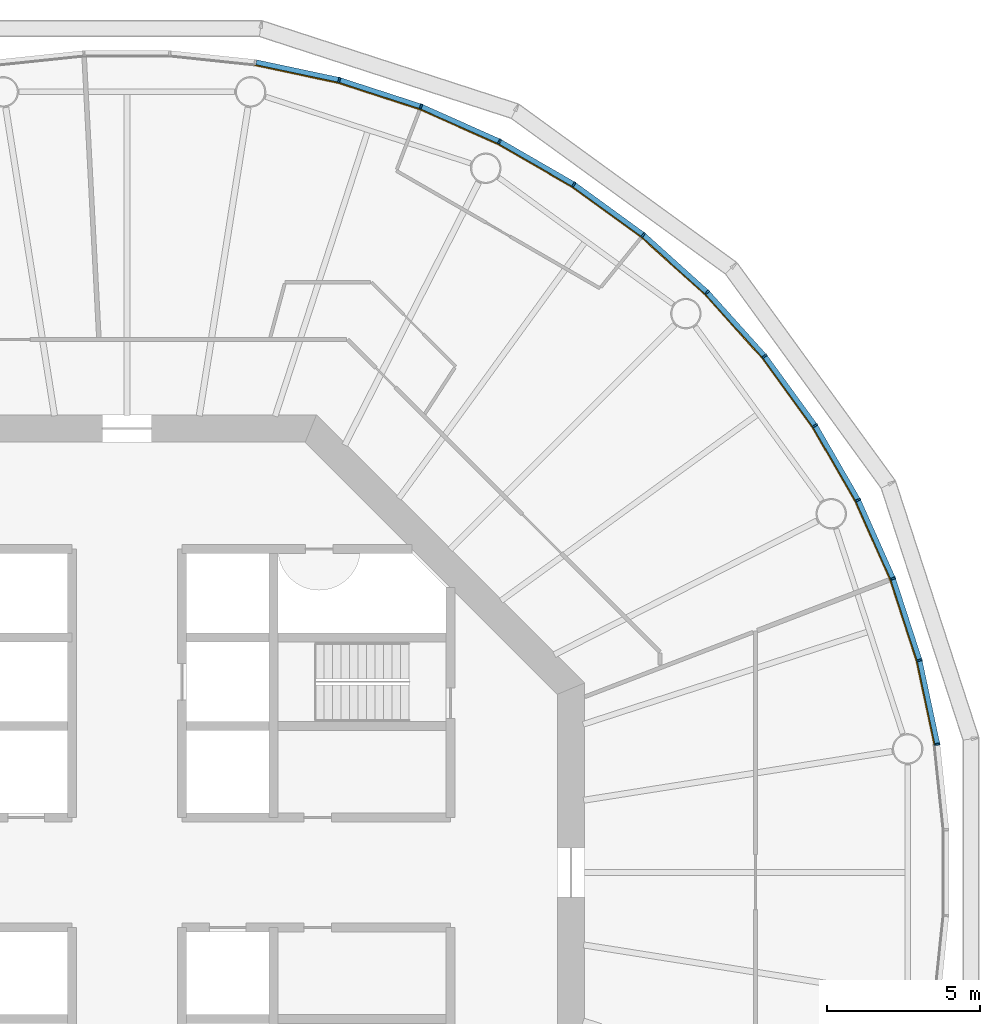
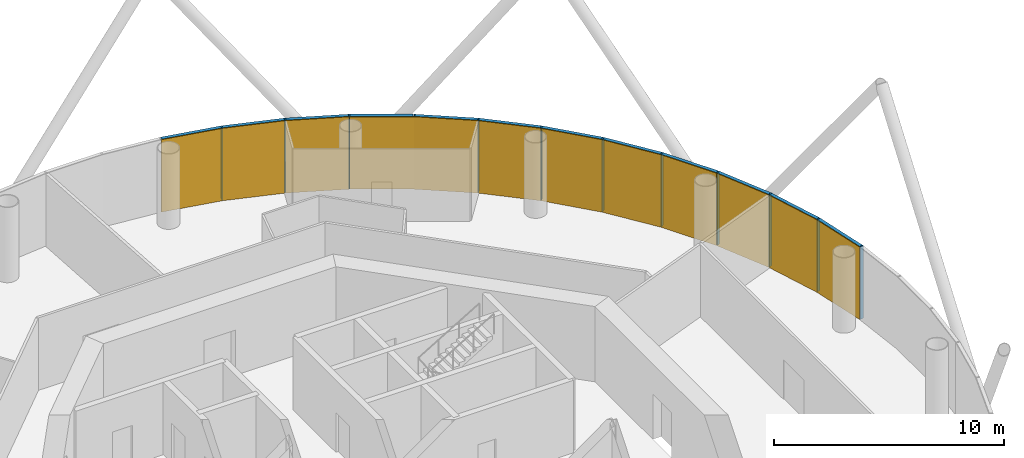
# One storey, part 11 of 12: 24 members, 4 curtain walls.
"""IFC4 building model written with IfcOpenShell, lengths in metres."""

from ifc_helpers import new_model, si_unit, direction, frame, origin, origin_2d, place, context, subcontext, project, spatial, polyline, rectangle, outline, extrude, material, layer, layer_set, material_profile, profile_set, type_object, element, aggregate, save


model = new_model("IFC4")

# Units and contexts
model_context = context("Model", 3, precision=1e-05, world=origin(), true_north=direction((0.0, 1.0)))
body_context = subcontext(model_context, "Body", "Model", "MODEL_VIEW")
ifc_project = project(units=[si_unit("LENGTHUNIT", "METRE"), si_unit("AREAUNIT", "SQUARE_METRE"), si_unit("VOLUMEUNIT", "CUBIC_METRE"), si_unit("PLANEANGLEUNIT", "RADIAN"), si_unit("MASSUNIT", "GRAM", prefix="KILO")], contexts=[model_context])

# Member
ifc_material_1 = material(Name="Anodised aluminium", Category="aluminium")
ifc_material_profile_1 = material_profile(ifc_material_1, rectangle(XDim=0.06005859375, YDim=0.169921875, at=origin_2d()), Name="Mullion 60 x 170 mm anodised aluminium")
ifc_profile_set_1 = profile_set([ifc_material_profile_1], Name="Anodised aluminium")
member_type_1 = type_object("IfcMemberType", Name="Mullion 60 x 170 mm anodised aluminium", PredefinedType="MULLION", material=ifc_profile_set_1)
site_placement = place(None, origin())
building_placement = place(site_placement, origin())
storey_placement = place(building_placement, frame((0.0, 0.0, 238.0)))
member_1_placement = place(storey_placement, frame((116.553955078125, 84.205810546875, 0.0), z_axis=(0.0, 0.0, 1.0), x_axis=(-0.15643446504, 0.987688340595, 0.0)))
member_1 = element("IfcMember", 1, at=member_1_placement, type_object=member_type_1, Name="MULLION L54-00", PredefinedType="MULLION", context=body_context, shape_type="SweptSolid", body=[
    extrude(rectangle(XDim=0.06005859375, YDim=0.169921875, at=origin_2d()), origin(), (0.0, 0.0, 1.0), 3.85009765625),
])

member_2_placement = place(storey_placement, frame((115.968994140625, 86.958251953125, 0.0), z_axis=(0.0, 0.0, 1.0), x_axis=(-0.258819045103, 0.965925826289, 0.0)))
member_2 = element("IfcMember", 2, at=member_2_placement, type_object=member_type_1, Name="MULLION L54-01", PredefinedType="MULLION", context=body_context, shape_type="SweptSolid", body=[
    extrude(rectangle(XDim=0.06005859375, YDim=0.169921875, at=origin_2d()), origin(), (0.0, 0.0, 1.0), 3.85009765625),
])

member_3_placement = place(storey_placement, frame((115.099365234375, 89.634765625, 0.0), z_axis=(0.0, 0.0, 1.0), x_axis=(-0.358367949545, 0.933580426497, 0.0)))
member_3 = element("IfcMember", 3, at=member_3_placement, type_object=member_type_1, Name="MULLION L54-02", PredefinedType="MULLION", context=body_context, shape_type="SweptSolid", body=[
    extrude(rectangle(XDim=0.06005859375, YDim=0.169921875, at=origin_2d()), origin(), (0.0, 0.0, 1.0), 3.85009765625),
])

member_4_placement = place(storey_placement, frame((113.95458984375, 92.20556640625, 0.0), z_axis=(0.0, 0.0, 1.0), x_axis=(-0.45399049974, 0.891006524188, 0.0)))
member_4 = element("IfcMember", 4, at=member_4_placement, type_object=member_type_1, Name="MULLION L54-03", PredefinedType="MULLION", context=body_context, shape_type="SweptSolid", body=[
    extrude(rectangle(XDim=0.06005859375, YDim=0.169921875, at=origin_2d()), origin(), (0.0, 0.0, 1.0), 3.85009765625),
])

member_5_placement = place(storey_placement, frame((112.547607421875, 94.642578125, 0.0), z_axis=(0.0, 0.0, 1.0), x_axis=(-0.544639035015, 0.838670567945, 0.0)))
member_5 = element("IfcMember", 5, at=member_5_placement, type_object=member_type_1, Name="MULLION L54-04", PredefinedType="MULLION", context=body_context, shape_type="SweptSolid", body=[
    extrude(rectangle(XDim=0.06005859375, YDim=0.169921875, at=origin_2d()), origin(), (0.0, 0.0, 1.0), 3.85009765625),
])

member_6_placement = place(storey_placement, frame((110.8935546875, 96.919189453125, 0.0), z_axis=(0.0, 0.0, 1.0), x_axis=(-0.62932039105, 0.777145961457, 0.0)))
member_6 = element("IfcMember", 6, at=member_6_placement, type_object=member_type_1, Name="MULLION L54-05", PredefinedType="MULLION", context=body_context, shape_type="SweptSolid", body=[
    extrude(rectangle(XDim=0.06005859375, YDim=0.169921875, at=origin_2d()), origin(), (0.0, 0.0, 1.0), 3.85009765625),
])

member_7_placement = place(storey_placement, frame((109.010498046875, 99.010498046875, 0.0), z_axis=(0.0, 0.0, 1.0), x_axis=(-0.707106781187, 0.707106781187, 0.0)))
member_7 = element("IfcMember", 7, at=member_7_placement, type_object=member_type_1, Name="MULLION L54-06", PredefinedType="MULLION", context=body_context, shape_type="SweptSolid", body=[
    extrude(rectangle(XDim=0.06005859375, YDim=0.169921875, at=origin_2d()), origin(), (0.0, 0.0, 1.0), 3.85009765625),
])

member_8_placement = place(storey_placement, frame((106.919189453125, 100.8935546875, 0.0), z_axis=(0.0, 0.0, 1.0), x_axis=(-0.777145961457, 0.62932039105, 0.0)))
member_8 = element("IfcMember", 8, at=member_8_placement, type_object=member_type_1, Name="MULLION L54-07", PredefinedType="MULLION", context=body_context, shape_type="SweptSolid", body=[
    extrude(rectangle(XDim=0.06005859375, YDim=0.169921875, at=origin_2d()), origin(), (0.0, 0.0, 1.0), 3.85009765625),
])

member_9_placement = place(storey_placement, frame((104.642578125, 102.547607421875, 0.0), z_axis=(0.0, 0.0, 1.0), x_axis=(-0.838670567945, 0.544639035015, 0.0)))
member_9 = element("IfcMember", 9, at=member_9_placement, type_object=member_type_1, Name="MULLION L54-08", PredefinedType="MULLION", context=body_context, shape_type="SweptSolid", body=[
    extrude(rectangle(XDim=0.06005859375, YDim=0.169921875, at=origin_2d()), origin(), (0.0, 0.0, 1.0), 3.85009765625),
])

member_10_placement = place(storey_placement, frame((102.20556640625, 103.95458984375, 0.0), z_axis=(0.0, 0.0, 1.0), x_axis=(-0.891006524188, 0.45399049974, 0.0)))
member_10 = element("IfcMember", 10, at=member_10_placement, type_object=member_type_1, Name="MULLION L54-09", PredefinedType="MULLION", context=body_context, shape_type="SweptSolid", body=[
    extrude(rectangle(XDim=0.06005859375, YDim=0.169921875, at=origin_2d()), origin(), (0.0, 0.0, 1.0), 3.85009765625),
])

member_11_placement = place(storey_placement, frame((99.634765625, 105.099365234375, 0.0), z_axis=(0.0, 0.0, 1.0), x_axis=(-0.933580426497, 0.358367949545, 0.0)))
member_11 = element("IfcMember", 11, at=member_11_placement, type_object=member_type_1, Name="MULLION L54-10", PredefinedType="MULLION", context=body_context, shape_type="SweptSolid", body=[
    extrude(rectangle(XDim=0.06005859375, YDim=0.169921875, at=origin_2d()), origin(), (0.0, 0.0, 1.0), 3.85009765625),
])

member_12_placement = place(storey_placement, frame((96.958251953125, 105.968994140625, 0.0), z_axis=(0.0, 0.0, 1.0), x_axis=(-0.965925826289, 0.258819045103, 0.0)))
member_12 = element("IfcMember", 12, at=member_12_placement, type_object=member_type_1, Name="MULLION L54-11", PredefinedType="MULLION", context=body_context, shape_type="SweptSolid", body=[
    extrude(rectangle(XDim=0.06005859375, YDim=0.169921875, at=origin_2d()), origin(), (0.0, 0.0, 1.0), 3.85009765625),
])

ifc_material_2 = material(Name="Anodised aluminium", Category="aluminium")
ifc_material_profile_2 = material_profile(ifc_material_2, rectangle(XDim=0.169921875, YDim=0.1650390625, at=origin_2d()), Name="Transom 165 x 170 mm anodised aluminium")
ifc_profile_set_2 = profile_set([ifc_material_profile_2], Name="Anodised aluminium")
member_type_2 = type_object("IfcMemberType", Name="Transom 165 x 170 mm anodised aluminium", PredefinedType="USERDEFINED", material=ifc_profile_set_2)
member_13_placement = place(storey_placement, frame((116.546875, 84.239501953125, 3.767578125), z_axis=(-0.207937468562, 0.97814212115, 0.0), x_axis=(-0.97814212115, -0.207937468562, 0.0)))
member_13 = element("IfcMember", 13, at=member_13_placement, type_object=member_type_2, Name="TRANSOM L54-00", ObjectType="TRANSOM", PredefinedType="USERDEFINED", context=body_context, shape_type="SweptSolid", body=[
    extrude(rectangle(XDim=0.169921875, YDim=0.1650390625, at=origin_2d()), origin(), (0.0, 0.0, 1.0), 2.7451171875),
])

member_14_placement = place(storey_placement, frame((115.95849609375, 86.9912109375, 3.767578125), z_axis=(-0.309041831781, 0.951048445774, 0.0), x_axis=(-0.951048445774, -0.309041831781, 0.0)))
member_14 = element("IfcMember", 14, at=member_14_placement, type_object=member_type_2, Name="TRANSOM L54-01", ObjectType="TRANSOM", PredefinedType="USERDEFINED", context=body_context, shape_type="SweptSolid", body=[
    extrude(rectangle(XDim=0.169921875, YDim=0.1650390625, at=origin_2d()), origin(), (0.0, 0.0, 1.0), 2.7451171875),
])

member_15_placement = place(storey_placement, frame((115.08544921875, 89.666259765625, 3.767578125), z_axis=(-0.406781987391, 0.913525267704, 0.0), x_axis=(-0.913525267704, -0.406781987391, 0.0)))
member_15 = element("IfcMember", 15, at=member_15_placement, type_object=member_type_2, Name="TRANSOM L54-02", ObjectType="TRANSOM", PredefinedType="USERDEFINED", context=body_context, shape_type="SweptSolid", body=[
    extrude(rectangle(XDim=0.169921875, YDim=0.1650390625, at=origin_2d()), origin(), (0.0, 0.0, 1.0), 2.7451171875),
])

member_16_placement = place(storey_placement, frame((113.9375, 92.2353515625, 3.767578125), z_axis=(-0.49998419723, 0.866034527326, 0.0), x_axis=(-0.866034527326, -0.49998419723, 0.0)))
member_16 = element("IfcMember", 16, at=member_16_placement, type_object=member_type_2, Name="TRANSOM L54-03", ObjectType="TRANSOM", PredefinedType="USERDEFINED", context=body_context, shape_type="SweptSolid", body=[
    extrude(rectangle(XDim=0.169921875, YDim=0.1650390625, at=origin_2d()), origin(), (0.0, 0.0, 1.0), 2.7451171875),
])

member_17_placement = place(storey_placement, frame((112.527587890625, 94.670654296875, 3.767578125), z_axis=(-0.587864947412, 0.808959086484, 0.0), x_axis=(-0.808959086484, -0.587864947412, 0.0)))
member_17 = element("IfcMember", 17, at=member_17_placement, type_object=member_type_2, Name="TRANSOM L54-04", ObjectType="TRANSOM", PredefinedType="USERDEFINED", context=body_context, shape_type="SweptSolid", body=[
    extrude(rectangle(XDim=0.169921875, YDim=0.1650390625, at=origin_2d()), origin(), (0.0, 0.0, 1.0), 2.7451171875),
])

member_18_placement = place(storey_placement, frame((110.87060546875, 96.945068359375, 3.767578125), z_axis=(-0.669141598561, 0.743134927907, 0.0), x_axis=(-0.743134927907, -0.669141598561, 0.0)))
member_18 = element("IfcMember", 18, at=member_18_placement, type_object=member_type_2, Name="TRANSOM L54-05", ObjectType="TRANSOM", PredefinedType="USERDEFINED", context=body_context, shape_type="SweptSolid", body=[
    extrude(rectangle(XDim=0.169921875, YDim=0.1650390625, at=origin_2d()), origin(), (0.0, 0.0, 1.0), 2.7451171875),
])

member_19_placement = place(storey_placement, frame((108.985107421875, 99.03369140625, 3.767578125), z_axis=(-0.743134927907, 0.669141598561, 0.0), x_axis=(-0.669141598561, -0.743134927907, 0.0)))
member_19 = element("IfcMember", 19, at=member_19_placement, type_object=member_type_2, Name="TRANSOM L54-06", ObjectType="TRANSOM", PredefinedType="USERDEFINED", context=body_context, shape_type="SweptSolid", body=[
    extrude(rectangle(XDim=0.169921875, YDim=0.1650390625, at=origin_2d()), origin(), (0.0, 0.0, 1.0), 2.7451171875),
])

member_20_placement = place(storey_placement, frame((106.891357421875, 100.913818359375, 3.767578125), z_axis=(-0.808959086484, 0.587864947412, 0.0), x_axis=(-0.587864947412, -0.808959086484, 0.0)))
member_20 = element("IfcMember", 20, at=member_20_placement, type_object=member_type_2, Name="TRANSOM L54-07", ObjectType="TRANSOM", PredefinedType="USERDEFINED", context=body_context, shape_type="SweptSolid", body=[
    extrude(rectangle(XDim=0.169921875, YDim=0.1650390625, at=origin_2d()), origin(), (0.0, 0.0, 1.0), 2.7451171875),
])

member_21_placement = place(storey_placement, frame((104.61279296875, 102.56494140625, 3.767578125), z_axis=(-0.866034527326, 0.49998419723, 0.0), x_axis=(-0.49998419723, -0.866034527326, 0.0)))
member_21 = element("IfcMember", 21, at=member_21_placement, type_object=member_type_2, Name="TRANSOM L54-08", ObjectType="TRANSOM", PredefinedType="USERDEFINED", context=body_context, shape_type="SweptSolid", body=[
    extrude(rectangle(XDim=0.169921875, YDim=0.1650390625, at=origin_2d()), origin(), (0.0, 0.0, 1.0), 2.7451171875),
])

member_22_placement = place(storey_placement, frame((102.174072265625, 103.96875, 3.767578125), z_axis=(-0.913525267704, 0.406781987391, 0.0), x_axis=(-0.406781987391, -0.913525267704, 0.0)))
member_22 = element("IfcMember", 22, at=member_22_placement, type_object=member_type_2, Name="TRANSOM L54-09", ObjectType="TRANSOM", PredefinedType="USERDEFINED", context=body_context, shape_type="SweptSolid", body=[
    extrude(rectangle(XDim=0.169921875, YDim=0.1650390625, at=origin_2d()), origin(), (0.0, 0.0, 1.0), 2.7451171875),
])

member_23_placement = place(storey_placement, frame((99.60205078125, 105.110107421875, 3.767578125), z_axis=(-0.951048445774, 0.309041831781, 0.0), x_axis=(-0.309041831781, -0.951048445774, 0.0)))
member_23 = element("IfcMember", 23, at=member_23_placement, type_object=member_type_2, Name="TRANSOM L54-10", ObjectType="TRANSOM", PredefinedType="USERDEFINED", context=body_context, shape_type="SweptSolid", body=[
    extrude(rectangle(XDim=0.169921875, YDim=0.1650390625, at=origin_2d()), origin(), (0.0, 0.0, 1.0), 2.7451171875),
])

member_24_placement = place(storey_placement, frame((96.924560546875, 105.97607421875, 3.767578125), z_axis=(-0.97814212115, 0.207937468562, 0.0), x_axis=(-0.207937468562, -0.97814212115, 0.0)))
member_24 = element("IfcMember", 24, at=member_24_placement, type_object=member_type_2, Name="TRANSOM L54-11", ObjectType="TRANSOM", PredefinedType="USERDEFINED", context=body_context, shape_type="SweptSolid", body=[
    extrude(rectangle(XDim=0.169921875, YDim=0.1650390625, at=origin_2d()), origin(), (0.0, 0.0, 1.0), 2.7451171875),
])

# Site, building, storey
site = spatial("IfcSite", under=ifc_project, at=site_placement, CompositionType="ELEMENT")
building = spatial("IfcBuilding", under=site, at=building_placement, Name="Entoto Ring Tower", CompositionType="ELEMENT")
storey = spatial("IfcBuildingStorey", under=building, at=storey_placement, Name="L54", CompositionType="ELEMENT", Elevation=238.0)

# Curtain wall
ifc_material_3 = material(Name="Clear low-iron glass", Category="glass")
ifc_layer = layer(ifc_material_3, 0.031982421875)
ifc_layer_set = layer_set([ifc_layer], Name="Clear low-iron glass")
curtain_wall_type = type_object("IfcCurtainWallType", Name="Curtain wall system CW4 glazing 32 mm", PredefinedType="NOTDEFINED", material=ifc_layer_set)
curtain_wall_1_placement = place(storey_placement, origin())
curtain_wall_1 = element("IfcCurtainWall", 25, at=curtain_wall_1_placement, inside=storey, type_object=curtain_wall_type, Name="CW4 L54-01", PredefinedType="NOTDEFINED", context=body_context, shape_type="SweptSolid", body=[
    extrude(outline(polyline([(116.469970703125, 84.1923828125), (115.88671875, 86.936279296875), (115.02001953125, 89.604248046875), (113.87890625, 92.1669921875), (113.850341796875, 92.15234375), (114.989990234375, 89.5927734375), (115.85595703125, 86.927978515625), (116.4384765625, 84.1875), (116.469970703125, 84.1923828125)])), origin(), (0.0, 0.0, 1.0), 3.85009765625),
])

aggregate(curtain_wall_1, [member_1, member_2, member_3, member_13, member_14, member_15])

curtain_wall_2_placement = place(storey_placement, origin())
curtain_wall_2 = element("IfcCurtainWall", 26, at=curtain_wall_2_placement, inside=storey, type_object=curtain_wall_type, Name="CW4 L54-02", PredefinedType="NOTDEFINED", context=body_context, shape_type="SweptSolid", body=[
    extrude(outline(polyline([(113.87890625, 92.1669921875), (112.476318359375, 94.596435546875), (110.827392578125, 96.86572265625), (108.950439453125, 98.950439453125), (108.927734375, 98.927734375), (110.802490234375, 96.845703125), (112.449462890625, 94.578857421875), (113.850341796875, 92.15234375), (113.87890625, 92.1669921875)])), origin(), (0.0, 0.0, 1.0), 3.85009765625),
])

aggregate(curtain_wall_2, [member_4, member_5, member_6, member_16, member_17, member_18])

curtain_wall_3_placement = place(storey_placement, origin())
curtain_wall_3 = element("IfcCurtainWall", 27, at=curtain_wall_3_placement, inside=storey, type_object=curtain_wall_type, Name="CW4 L54-03", PredefinedType="NOTDEFINED", context=body_context, shape_type="SweptSolid", body=[
    extrude(outline(polyline([(108.950439453125, 98.950439453125), (106.86572265625, 100.827392578125), (104.596435546875, 102.476318359375), (102.1669921875, 103.87890625), (102.15234375, 103.850341796875), (104.578857421875, 102.449462890625), (106.845703125, 100.802490234375), (108.927734375, 98.927734375), (108.950439453125, 98.950439453125)])), origin(), (0.0, 0.0, 1.0), 3.85009765625),
])

aggregate(curtain_wall_3, [member_7, member_8, member_9, member_19, member_20, member_21])

curtain_wall_4_placement = place(storey_placement, origin())
curtain_wall_4 = element("IfcCurtainWall", 28, at=curtain_wall_4_placement, inside=storey, type_object=curtain_wall_type, Name="CW4 L54-04", PredefinedType="NOTDEFINED", context=body_context, shape_type="SweptSolid", body=[
    extrude(outline(polyline([(102.1669921875, 103.87890625), (99.604248046875, 105.02001953125), (96.936279296875, 105.88671875), (94.1923828125, 106.469970703125), (94.1875, 106.4384765625), (96.927978515625, 105.85595703125), (99.5927734375, 104.989990234375), (102.15234375, 103.850341796875), (102.1669921875, 103.87890625)])), origin(), (0.0, 0.0, 1.0), 3.85009765625),
])

aggregate(curtain_wall_4, [member_10, member_11, member_12, member_22, member_23, member_24])

save(model, "model.ifc")
